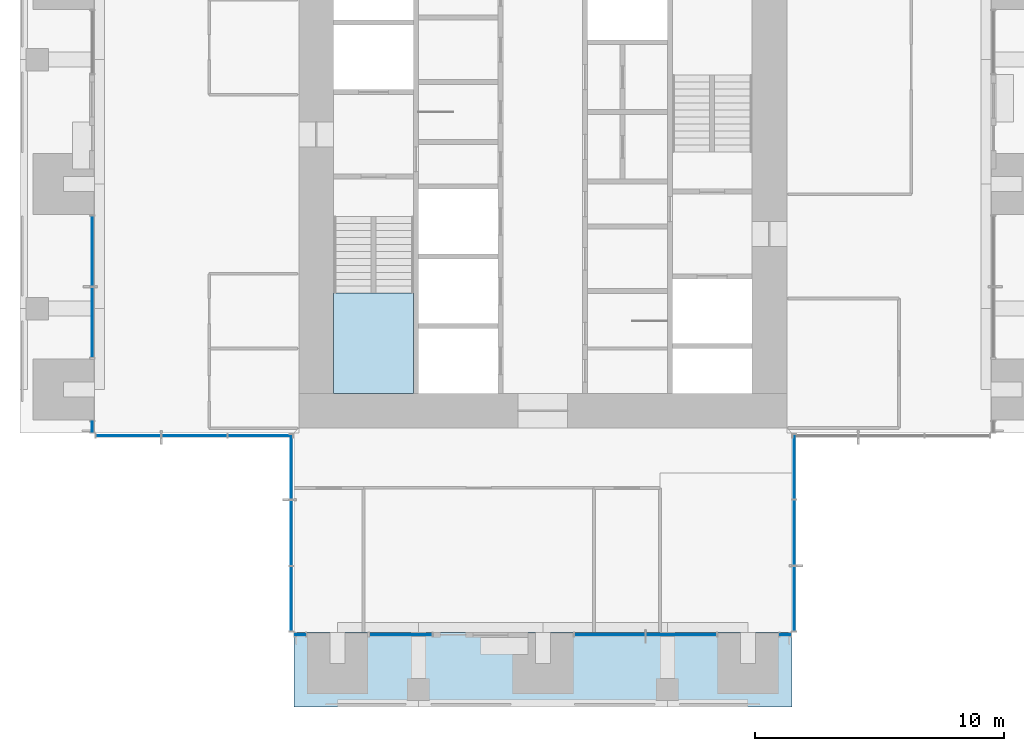
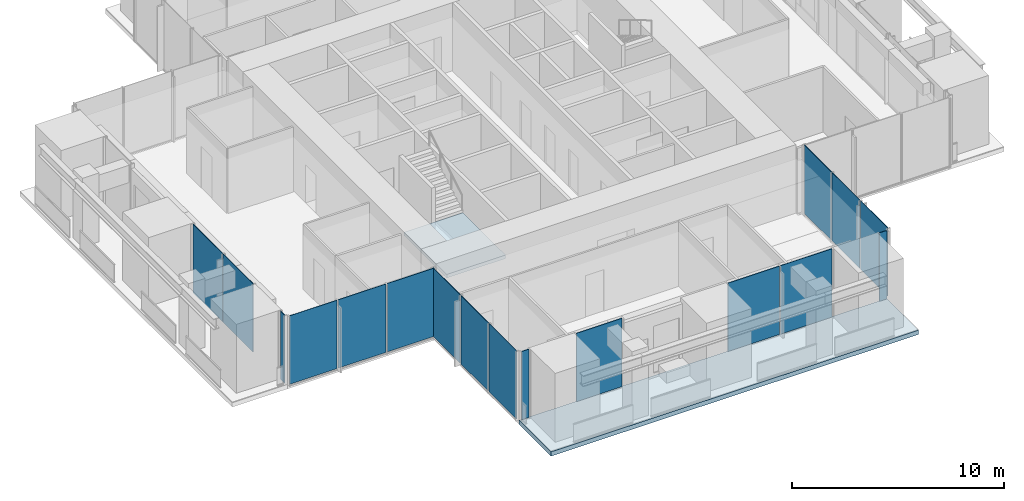
# One storey, part 7 of 17: 17 plates, 2 slabs, 10 elements without a shape of their own.
"""IFC4 building model written with IfcOpenShell, lengths in metres."""

from ifc_helpers import new_model, si_unit, direction, frame, origin, origin_2d, place, context, subcontext, project, spatial, polyline, rectangle, outline, extrude, material, layer, layer_set, type_object, element, aggregate, save


model = new_model("IFC4")

# Units and contexts
model_context = context("Model", 3, precision=1e-05, world=origin(), true_north=direction((0.0, 1.0)))
body_context = subcontext(model_context, "Body", "Model", "MODEL_VIEW")
ifc_project = project(units=[si_unit("LENGTHUNIT", "METRE"), si_unit("AREAUNIT", "SQUARE_METRE"), si_unit("VOLUMEUNIT", "CUBIC_METRE"), si_unit("PLANEANGLEUNIT", "RADIAN"), si_unit("MASSUNIT", "GRAM", prefix="KILO")], contexts=[model_context])

# Site, building, storey
site_placement = place(None, origin())
site = spatial("IfcSite", under=ifc_project, at=site_placement, CompositionType="ELEMENT")
building_placement = place(site_placement, origin())
building = spatial("IfcBuilding", under=site, at=building_placement, Name="Svetlomir Tower", CompositionType="ELEMENT")
storey_placement = place(building_placement, frame((0.0, 0.0, 222.5)))
storey = spatial("IfcBuildingStorey", under=building, at=storey_placement, Name="L53", CompositionType="ELEMENT", Elevation=222.5)

# Curtain wall, plate
ifc_material_1 = material(Name="Bronze anodised aluminium curtain wall", Category="aluminium")
curtain_wall_type = type_object("IfcCurtainWallType", Name="CURTAIN WALL CW1 TOWER OFFICE", PredefinedType="NOTDEFINED", material=ifc_material_1)
curtain_wall_1_placement = place(storey_placement, origin())
curtain_wall_1 = element("IfcCurtainWall", 1, at=curtain_wall_1_placement, inside=storey, type_object=curtain_wall_type, Name="Curtain wall CW1 L53", PredefinedType="NOTDEFINED")
ifc_material_2 = material(Name="Tinted double glazed unit", Category="glass")
ifc_layer_1 = layer(ifc_material_2, 0.031982421875)
ifc_layer_set_1 = layer_set([ifc_layer_1], Name="Tinted double glazed unit")
plate_type = type_object("IfcPlateType", Name="CW1 GLAZED PANEL 32", PredefinedType="CURTAIN_PANEL", material=ifc_layer_set_1)
plate_1_placement = place(storey_placement, frame((11.262451171875, 2.89990234375, 0.06494140625), z_axis=(0.0, 0.0, 1.0), x_axis=(1.0, 0.0, 0.0)))
plate_1 = element("IfcPlate", 2, at=plate_1_placement, type_object=plate_type, Name="CW1 panel 1.1", PredefinedType="CURTAIN_PANEL", context=body_context, shape_type="SweptSolid", body=[
    extrude(rectangle(XDim=0.39501953125, YDim=0.031982421875, at=origin_2d()), origin(), (0.0, 0.0, 1.0), 3.93505859375),
])
aggregate(curtain_wall_1, [plate_1])

curtain_wall_2_placement = place(storey_placement, origin())
curtain_wall_2 = element("IfcCurtainWall", 3, at=curtain_wall_2_placement, inside=storey, type_object=curtain_wall_type, Name="Curtain wall CW1 L53", PredefinedType="NOTDEFINED")
plate_2_placement = place(storey_placement, frame((15.28759765625, 2.89990234375, 0.06494140625), z_axis=(0.0, 0.0, 1.0), x_axis=(1.0, 0.0, 0.0)))
plate_2 = element("IfcPlate", 4, at=plate_2_placement, type_object=plate_type, Name="CW1 panel 1.1", PredefinedType="CURTAIN_PANEL", context=body_context, shape_type="SweptSolid", body=[
    extrude(rectangle(XDim=2.4951171875, YDim=0.031982421875, at=origin_2d()), origin(), (0.0, 0.0, 1.0), 3.93505859375),
])
aggregate(curtain_wall_2, [plate_2])

# Curtain wall, plates
curtain_wall_3_placement = place(storey_placement, origin())
curtain_wall_3 = element("IfcCurtainWall", 5, at=curtain_wall_3_placement, inside=storey, type_object=curtain_wall_type, Name="Curtain wall CW1 L53", PredefinedType="NOTDEFINED")
plate_3_placement = place(storey_placement, frame((23.691162109375, 2.89990234375, 0.06494140625), z_axis=(0.0, 0.0, 1.0), x_axis=(1.0, 0.0, 0.0)))
plate_3 = element("IfcPlate", 6, at=plate_3_placement, type_object=plate_type, Name="CW1 panel 1.1", PredefinedType="CURTAIN_PANEL", context=body_context, shape_type="SweptSolid", body=[
    extrude(rectangle(XDim=2.802490234375, YDim=0.031982421875, at=origin_2d()), origin(), (0.0, 0.0, 1.0), 3.93505859375),
])
plate_4_placement = place(storey_placement, frame((26.558837890625, 2.89990234375, 0.06494140625), z_axis=(0.0, 0.0, 1.0), x_axis=(1.0, 0.0, 0.0)))
plate_4 = element("IfcPlate", 7, at=plate_4_placement, type_object=plate_type, Name="CW1 panel 2.1", PredefinedType="CURTAIN_PANEL", context=body_context, shape_type="SweptSolid", body=[
    extrude(rectangle(XDim=2.802490234375, YDim=0.031982421875, at=origin_2d()), origin(), (0.0, 0.0, 1.0), 3.93505859375),
])
aggregate(curtain_wall_3, [plate_3, plate_4])

# Curtain wall, plate
curtain_wall_4_placement = place(storey_placement, origin())
curtain_wall_4 = element("IfcCurtainWall", 8, at=curtain_wall_4_placement, inside=storey, type_object=curtain_wall_type, Name="Curtain wall CW1 L53", PredefinedType="NOTDEFINED")
plate_5_placement = place(storey_placement, frame((30.737548828125, 2.89990234375, 0.06494140625), z_axis=(0.0, 0.0, 1.0), x_axis=(1.0, 0.0, 0.0)))
plate_5 = element("IfcPlate", 9, at=plate_5_placement, type_object=plate_type, Name="CW1 panel 1.1", PredefinedType="CURTAIN_PANEL", context=body_context, shape_type="SweptSolid", body=[
    extrude(rectangle(XDim=0.39501953125, YDim=0.031982421875, at=origin_2d()), origin(), (0.0, 0.0, 1.0), 3.93505859375),
])
aggregate(curtain_wall_4, [plate_5])

# Curtain wall, plates
curtain_wall_5_placement = place(storey_placement, origin())
curtain_wall_5 = element("IfcCurtainWall", 10, at=curtain_wall_5_placement, inside=storey, type_object=curtain_wall_type, Name="Curtain wall CW1 L53", PredefinedType="NOTDEFINED")
plate_6_placement = place(storey_placement, frame((31.10009765625, 4.349609375, 0.06494140625), z_axis=(0.0, 0.0, 1.0), x_axis=(0.0, 1.0, 0.0)))
plate_6 = element("IfcPlate", 11, at=plate_6_placement, type_object=plate_type, Name="CW1 panel 1.1", PredefinedType="CURTAIN_PANEL", context=body_context, shape_type="SweptSolid", body=[
    extrude(rectangle(XDim=2.569091796875, YDim=0.031982421875, at=origin_2d()), origin(), (0.0, 0.0, 1.0), 3.93505859375),
])
plate_7_placement = place(storey_placement, frame((31.10009765625, 7.0, 0.06494140625), z_axis=(0.0, 0.0, 1.0), x_axis=(0.0, 1.0, 0.0)))
plate_7 = element("IfcPlate", 12, at=plate_7_placement, type_object=plate_type, Name="CW1 panel 2.1", PredefinedType="CURTAIN_PANEL", context=body_context, shape_type="SweptSolid", body=[
    extrude(rectangle(XDim=2.6015625, YDim=0.031982421875, at=origin_2d()), origin(), (0.0, 0.0, 1.0), 3.93505859375),
])
plate_8_placement = place(storey_placement, frame((31.10009765625, 9.650390625, 0.06494140625), z_axis=(0.0, 0.0, 1.0), x_axis=(0.0, 1.0, 0.0)))
plate_8 = element("IfcPlate", 13, at=plate_8_placement, type_object=plate_type, Name="CW1 panel 3.1", PredefinedType="CURTAIN_PANEL", context=body_context, shape_type="SweptSolid", body=[
    extrude(rectangle(XDim=2.569091796875, YDim=0.031982421875, at=origin_2d()), origin(), (0.0, 0.0, 1.0), 3.93505859375),
])
aggregate(curtain_wall_5, [plate_6, plate_7, plate_8])

curtain_wall_6_placement = place(storey_placement, origin())
curtain_wall_6 = element("IfcCurtainWall", 14, at=curtain_wall_6_placement, inside=storey, type_object=curtain_wall_type, Name="Curtain wall CW1 L53", PredefinedType="NOTDEFINED")
plate_9_placement = place(storey_placement, frame((2.89990234375, 18.308837890625, 0.06494140625), z_axis=(0.0, 0.0, 1.0), x_axis=(0.0, -1.0, 0.0)))
plate_9 = element("IfcPlate", 15, at=plate_9_placement, type_object=plate_type, Name="CW1 panel 1.1", PredefinedType="CURTAIN_PANEL", context=body_context, shape_type="SweptSolid", body=[
    extrude(rectangle(XDim=2.802490234375, YDim=0.031982421875, at=origin_2d()), origin(), (0.0, 0.0, 1.0), 3.93505859375),
])
plate_10_placement = place(storey_placement, frame((2.89990234375, 15.441162109375, 0.06494140625), z_axis=(0.0, 0.0, 1.0), x_axis=(0.0, -1.0, 0.0)))
plate_10 = element("IfcPlate", 16, at=plate_10_placement, type_object=plate_type, Name="CW1 panel 2.1", PredefinedType="CURTAIN_PANEL", context=body_context, shape_type="SweptSolid", body=[
    extrude(rectangle(XDim=2.802490234375, YDim=0.031982421875, at=origin_2d()), origin(), (0.0, 0.0, 1.0), 3.93505859375),
])
aggregate(curtain_wall_6, [plate_9, plate_10])

# Curtain wall, plate
curtain_wall_7_placement = place(storey_placement, origin())
curtain_wall_7 = element("IfcCurtainWall", 17, at=curtain_wall_7_placement, inside=storey, type_object=curtain_wall_type, Name="Curtain wall CW1 L53", PredefinedType="NOTDEFINED")
plate_11_placement = place(storey_placement, frame((2.89990234375, 11.262451171875, 0.06494140625), z_axis=(0.0, 0.0, 1.0), x_axis=(0.0, -1.0, 0.0)))
plate_11 = element("IfcPlate", 18, at=plate_11_placement, type_object=plate_type, Name="CW1 panel 1.1", PredefinedType="CURTAIN_PANEL", context=body_context, shape_type="SweptSolid", body=[
    extrude(rectangle(XDim=0.39501953125, YDim=0.031982421875, at=origin_2d()), origin(), (0.0, 0.0, 1.0), 3.93505859375),
])
aggregate(curtain_wall_7, [plate_11])

# Curtain wall, plates
curtain_wall_8_placement = place(storey_placement, origin())
curtain_wall_8 = element("IfcCurtainWall", 19, at=curtain_wall_8_placement, inside=storey, type_object=curtain_wall_type, Name="Curtain wall CW1 L53", PredefinedType="NOTDEFINED")
plate_12_placement = place(storey_placement, frame((4.349609375, 10.89990234375, 0.06494140625), z_axis=(0.0, 0.0, 1.0), x_axis=(1.0, 0.0, 0.0)))
plate_12 = element("IfcPlate", 20, at=plate_12_placement, type_object=plate_type, Name="CW1 panel 1.1", PredefinedType="CURTAIN_PANEL", context=body_context, shape_type="SweptSolid", body=[
    extrude(rectangle(XDim=2.569091796875, YDim=0.031982421875, at=origin_2d()), origin(), (0.0, 0.0, 1.0), 3.93505859375),
])
plate_13_placement = place(storey_placement, frame((7.0, 10.89990234375, 0.06494140625), z_axis=(0.0, 0.0, 1.0), x_axis=(1.0, 0.0, 0.0)))
plate_13 = element("IfcPlate", 21, at=plate_13_placement, type_object=plate_type, Name="CW1 panel 2.1", PredefinedType="CURTAIN_PANEL", context=body_context, shape_type="SweptSolid", body=[
    extrude(rectangle(XDim=2.6015625, YDim=0.031982421875, at=origin_2d()), origin(), (0.0, 0.0, 1.0), 3.93505859375),
])
plate_14_placement = place(storey_placement, frame((9.650390625, 10.89990234375, 0.06494140625), z_axis=(0.0, 0.0, 1.0), x_axis=(1.0, 0.0, 0.0)))
plate_14 = element("IfcPlate", 22, at=plate_14_placement, type_object=plate_type, Name="CW1 panel 3.1", PredefinedType="CURTAIN_PANEL", context=body_context, shape_type="SweptSolid", body=[
    extrude(rectangle(XDim=2.569091796875, YDim=0.031982421875, at=origin_2d()), origin(), (0.0, 0.0, 1.0), 3.93505859375),
])
aggregate(curtain_wall_8, [plate_12, plate_13, plate_14])

curtain_wall_9_placement = place(storey_placement, origin())
curtain_wall_9 = element("IfcCurtainWall", 23, at=curtain_wall_9_placement, inside=storey, type_object=curtain_wall_type, Name="Curtain wall CW1 L53", PredefinedType="NOTDEFINED")
plate_15_placement = place(storey_placement, frame((10.89990234375, 9.650390625, 0.06494140625), z_axis=(0.0, 0.0, 1.0), x_axis=(0.0, -1.0, 0.0)))
plate_15 = element("IfcPlate", 24, at=plate_15_placement, type_object=plate_type, Name="CW1 panel 1.1", PredefinedType="CURTAIN_PANEL", context=body_context, shape_type="SweptSolid", body=[
    extrude(rectangle(XDim=2.569091796875, YDim=0.031982421875, at=origin_2d()), origin(), (0.0, 0.0, 1.0), 3.93505859375),
])
plate_16_placement = place(storey_placement, frame((10.89990234375, 7.0, 0.06494140625), z_axis=(0.0, 0.0, 1.0), x_axis=(0.0, -1.0, 0.0)))
plate_16 = element("IfcPlate", 25, at=plate_16_placement, type_object=plate_type, Name="CW1 panel 2.1", PredefinedType="CURTAIN_PANEL", context=body_context, shape_type="SweptSolid", body=[
    extrude(rectangle(XDim=2.6015625, YDim=0.031982421875, at=origin_2d()), origin(), (0.0, 0.0, 1.0), 3.93505859375),
])
plate_17_placement = place(storey_placement, frame((10.89990234375, 4.349609375, 0.06494140625), z_axis=(0.0, 0.0, 1.0), x_axis=(0.0, -1.0, 0.0)))
plate_17 = element("IfcPlate", 26, at=plate_17_placement, type_object=plate_type, Name="CW1 panel 3.1", PredefinedType="CURTAIN_PANEL", context=body_context, shape_type="SweptSolid", body=[
    extrude(rectangle(XDim=2.569091796875, YDim=0.031982421875, at=origin_2d()), origin(), (0.0, 0.0, 1.0), 3.93505859375),
])
aggregate(curtain_wall_9, [plate_15, plate_16, plate_17])

# Slab
ifc_material_3 = material(Name="Concrete C60/75", Category="concrete")
ifc_layer_2 = layer(ifc_material_3, 0.25)
ifc_layer_set_2 = layer_set([ifc_layer_2], Name="Concrete C60/75")
slab_type_1 = type_object("IfcSlabType", Name="PLANTED LOGGIA SLAB 250", PredefinedType="FLOOR", material=ifc_layer_set_2)
slab_1_placement = place(storey_placement, frame((0.0, 0.0, -0.25)))
element("IfcSlab", 27, at=slab_1_placement, inside=storey, type_object=slab_type_1, Name="L53 S planted loggia", PredefinedType="FLOOR", context=body_context, shape_type="SweptSolid", body=[
    extrude(outline(polyline([(11.0, 0.0), (31.0, 0.0), (31.0, 3.0), (11.0, 3.0), (11.0, 0.0)])), origin(), (0.0, 0.0, 1.0), 0.25),
])

# Stair, slab
ifc_material_4 = material(Name="Concrete C60/75", Category="concrete")
stair_type = type_object("IfcStairType", Name="EXIT STAIR 3200 RISE 4000", PredefinedType="HALF_TURN_STAIR", material=ifc_material_4)
stair_placement = place(storey_placement, origin())
stair = element("IfcStair", 28, at=stair_placement, inside=storey, type_object=stair_type, Name="Stair S1 L53 to L54", PredefinedType="HALF_TURN_STAIR")
ifc_material_5 = material(Name="Concrete C60/75", Category="concrete")
ifc_layer_3 = layer(ifc_material_5, 0.199951171875)
ifc_layer_set_3 = layer_set([ifc_layer_3], Name="Concrete C60/75")
slab_type_2 = type_object("IfcSlabType", Name="STAIR LANDING 200", PredefinedType="LANDING", material=ifc_layer_set_3)
slab_2_placement = place(storey_placement, frame((0.0, 0.0, 1.800048828125)))
slab_2 = element("IfcSlab", 29, at=slab_2_placement, type_object=slab_type_2, Name="S1 landing 1", PredefinedType="LANDING", context=body_context, shape_type="SweptSolid", body=[
    extrude(outline(polyline([(12.60009765625, 12.60009765625), (15.800048828125, 12.60009765625), (15.800048828125, 16.6201171875), (12.60009765625, 16.6201171875), (12.60009765625, 12.60009765625)])), origin(), (0.0, 0.0, 1.0), 0.199951171875),
])
aggregate(stair, [slab_2])

save(model, "model.ifc")
